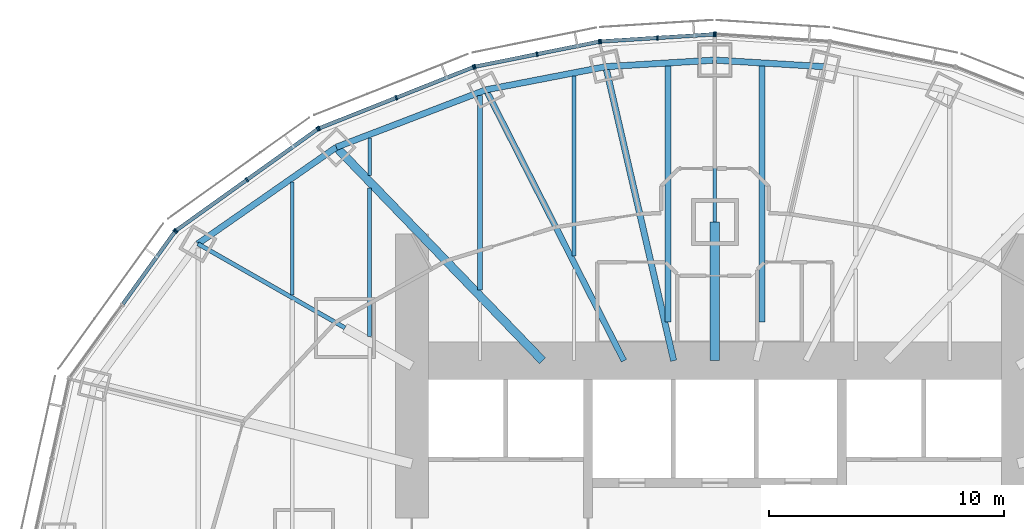
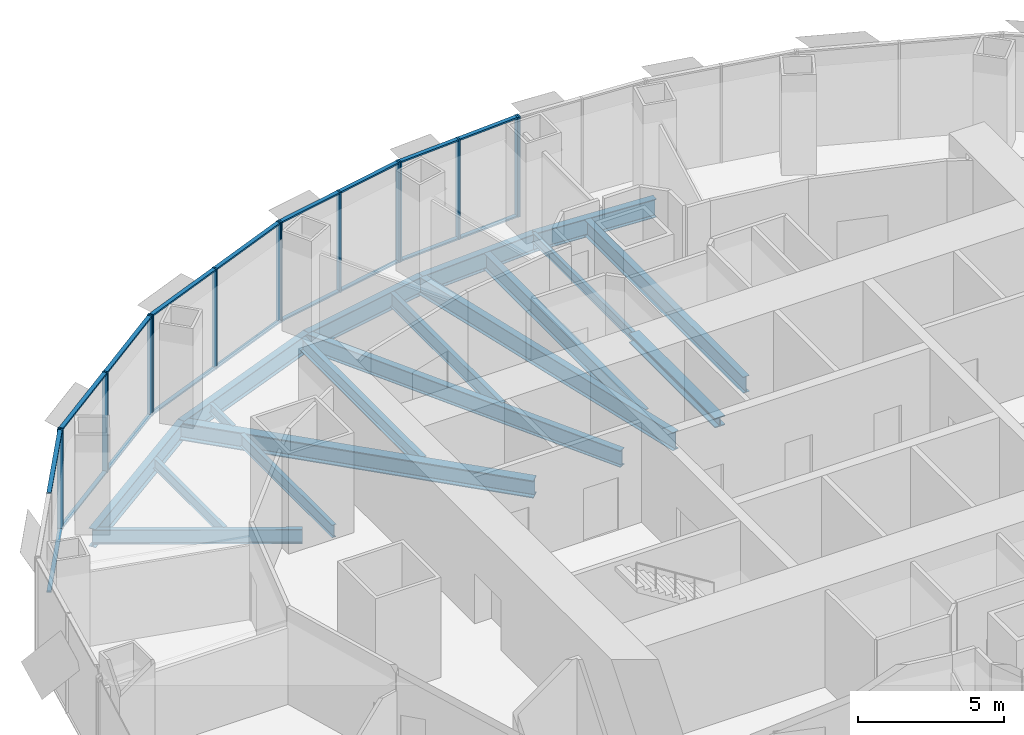
# One storey, part 7 of 17: 32 members, 18 beams, 6 elements without a shape of their own.
"""IFC4 building model written with IfcOpenShell, lengths in metres."""

from ifc_helpers import new_model, si_unit, direction, frame, origin, origin_2d, place, context, subcontext, project, spatial, rectangle, i_section, extrude, material, material_profile, profile_set, type_object, element, aggregate, save


model = new_model("IFC4")

# Units and contexts
model_context = context("Model", 3, precision=1e-05, world=origin(), true_north=direction((0.0, 1.0)))
body_context = subcontext(model_context, "Body", "Model", "MODEL_VIEW")
ifc_project = project(units=[si_unit("LENGTHUNIT", "METRE"), si_unit("AREAUNIT", "SQUARE_METRE"), si_unit("VOLUMEUNIT", "CUBIC_METRE"), si_unit("PLANEANGLEUNIT", "RADIAN"), si_unit("MASSUNIT", "GRAM", prefix="KILO")], contexts=[model_context])

# Site, building, storey
site_placement = place(None, origin())
site = spatial("IfcSite", under=ifc_project, at=site_placement, CompositionType="ELEMENT")
building_placement = place(site_placement, origin())
building = spatial("IfcBuilding", under=site, at=building_placement, Name="Lantaw Convention Tower", CompositionType="ELEMENT")
storey_placement = place(building_placement, frame((0.0, 0.0, 155.199951171875)))
storey = spatial("IfcBuildingStorey", under=building, at=storey_placement, Name="L36", CompositionType="ELEMENT", Elevation=155.199951171875)

# Beams
ifc_material_1 = material(Name="Steel ASTM A992", Category="steel")
ifc_material_profile_1 = material_profile(ifc_material_1, i_section(OverallWidth=0.2666015625, OverallDepth=0.76953125, WebThickness=0.015625, FlangeThickness=0.025390625, FilletRadius=0.0126953125, at=origin_2d()), Name="W30X132")
ifc_profile_set_1 = profile_set([ifc_material_profile_1], Name="Steel ASTM A992")
beam_type_1 = type_object("IfcBeamType", Name="Beam E W30X132", PredefinedType="SPANDREL", material=ifc_profile_set_1)
for number, where, z_axis, x_axis, name in (
    (1, (4.64501953125, 20.1201171875, -0.53466796875), (-0.998190892054, 0.06012439621, 0.0), (-0.06012439621, -0.998190892054, 0.0), "Edge beam 6"),
    (2, (0.0, 20.39990234375, -0.53466796875), (-0.998190892054, -0.06012439621, 0.0), (0.06012439621, -0.998190892054, 0.0), "Edge beam 7"),
):
    element("IfcBeam", number, at=place(storey_placement, frame(where, z_axis=z_axis, x_axis=x_axis)), inside=storey, type_object=beam_type_1, Name=name, PredefinedType="SPANDREL", context=body_context, shape_type="SweptSolid", body=[
        extrude(i_section(OverallWidth=0.2666015625, OverallDepth=0.76953125, WebThickness=0.015625, FlangeThickness=0.025390625, FilletRadius=0.0126953125, at=origin_2d()), origin(), (0.0, 0.0, 1.0), 4.6533203125),
    ])
beam_1_placement = place(storey_placement, frame((-4.64501953125, 20.1201171875, -0.53466796875), z_axis=(-0.981796805654, -0.189934284446, 0.0), x_axis=(0.189934284446, -0.981796805654, 0.0)))
element("IfcBeam", 3, at=beam_1_placement, inside=storey, type_object=beam_type_1, Name="Edge beam 8", PredefinedType="SPANDREL", context=body_context, shape_type="SweptSolid", body=[
    extrude(i_section(OverallWidth=0.2666015625, OverallDepth=0.76953125, WebThickness=0.015625, FlangeThickness=0.025390625, FilletRadius=0.0126953125, at=origin_2d()), origin(), (0.0, 0.0, 1.0), 5.1982421875),
])
beam_2_placement = place(storey_placement, frame((-9.74853515625, 19.1328125, -0.53466796875), z_axis=(-0.933691081977, -0.358079549033, 0.0), x_axis=(0.358079549033, -0.933691081977, 0.0)))
element("IfcBeam", 4, at=beam_2_placement, inside=storey, type_object=beam_type_1, Name="Edge beam 9", PredefinedType="SPANDREL", context=body_context, shape_type="SweptSolid", body=[
    extrude(i_section(OverallWidth=0.2666015625, OverallDepth=0.76953125, WebThickness=0.015625, FlangeThickness=0.025390625, FilletRadius=0.0126953125, at=origin_2d()), origin(), (0.0, 0.0, 1.0), 6.821533203125),
])
beam_3_placement = place(storey_placement, frame((-16.11767578125, 16.690185546875, -0.53466796875), z_axis=(-0.820310765287, -0.57191804339, 0.0), x_axis=(0.57191804339, -0.820310765287, 0.0)))
element("IfcBeam", 5, at=beam_3_placement, inside=storey, type_object=beam_type_1, Name="Edge beam 10", PredefinedType="SPANDREL", context=body_context, shape_type="SweptSolid", body=[
    extrude(i_section(OverallWidth=0.2666015625, OverallDepth=0.76953125, WebThickness=0.015625, FlangeThickness=0.025390625, FilletRadius=0.0126953125, at=origin_2d()), origin(), (0.0, 0.0, 1.0), 7.187744140625),
])
ifc_material_profile_2 = material_profile(ifc_material_1, i_section(OverallWidth=0.140380859375, OverallDepth=0.40380859375, WebThickness=0.007080078125, FlangeThickness=0.01123046875, FilletRadius=0.01025390625, at=origin_2d()), Name="W16X31")
ifc_profile_set_2 = profile_set([ifc_material_profile_2], Name="Steel ASTM A992")
beam_type_2 = type_object("IfcBeamType", Name="Beam G W16X31", PredefinedType="BEAM", material=ifc_profile_set_2)
beam_4_placement = place(storey_placement, frame((0.0, 13.5, -0.351806640625), z_axis=(0.0, 1.0, 0.0), x_axis=(-1.0, 0.0, 0.0)))
element("IfcBeam", 6, at=beam_4_placement, inside=storey, type_object=beam_type_2, Name="Floor girder on ray 7", PredefinedType="BEAM", context=body_context, shape_type="SweptSolid", body=[
    extrude(i_section(OverallWidth=0.140380859375, OverallDepth=0.40380859375, WebThickness=0.007080078125, FlangeThickness=0.01123046875, FilletRadius=0.01025390625, at=origin_2d()), origin(), (0.0, 0.0, 1.0), 6.89990234375),
])
ifc_material_profile_3 = material_profile(ifc_material_1, i_section(OverallWidth=0.177978515625, OverallDepth=0.599365234375, WebThickness=0.010009765625, FlangeThickness=0.012939453125, FilletRadius=0.012939453125, at=origin_2d()), Name="W24X55")
ifc_profile_set_3 = profile_set([ifc_material_profile_3], Name="Steel ASTM A992")
beam_type_3 = type_object("IfcBeamType", Name="Beam G W24X55", PredefinedType="BEAM", material=ifc_profile_set_3)
beam_5_placement = place(storey_placement, frame((-15.75, 9.0, -0.44970703125), z_axis=(-0.868245224608, 0.496135293993, 0.0), x_axis=(-0.496135293993, -0.868245224608, 0.0)))
element("IfcBeam", 7, at=beam_5_placement, inside=storey, type_object=beam_type_3, Name="Floor girder on ray 11", PredefinedType="BEAM", context=body_context, shape_type="SweptSolid", body=[
    extrude(i_section(OverallWidth=0.177978515625, OverallDepth=0.599365234375, WebThickness=0.010009765625, FlangeThickness=0.012939453125, FilletRadius=0.012939453125, at=origin_2d()), origin(), (0.0, 0.0, 1.0), 7.21435546875),
])
ifc_material_profile_4 = material_profile(ifc_material_1, i_section(OverallWidth=0.25390625, OverallDepth=0.700927734375, WebThickness=0.015380859375, FlangeThickness=0.02783203125, FilletRadius=0.01513671875, at=origin_2d()), Name="W27X129")
ifc_profile_set_4 = profile_set([ifc_material_profile_4], Name="Steel ASTM A992")
beam_type_4 = type_object("IfcBeamType", Name="Beam G W27X129", PredefinedType="BEAM", material=ifc_profile_set_4)
beam_6_placement = place(storey_placement, frame((-3.872314453125, 7.60009765625, -0.50048828125), z_axis=(-0.453991051051, 0.891006243281, 0.0), x_axis=(-0.891006243281, -0.453991051051, 0.0)))
element("IfcBeam", 8, at=beam_6_placement, inside=storey, type_object=beam_type_4, Name="Floor girder on ray 9", PredefinedType="BEAM", context=body_context, shape_type="SweptSolid", body=[
    extrude(i_section(OverallWidth=0.25390625, OverallDepth=0.700927734375, WebThickness=0.015380859375, FlangeThickness=0.02783203125, FilletRadius=0.01513671875, at=origin_2d()), origin(), (0.0, 0.0, 1.0), 12.943359375),
])
ifc_material_profile_5 = material_profile(ifc_material_1, i_section(OverallWidth=0.360595703125, OverallDepth=0.72900390625, WebThickness=0.023193359375, FlangeThickness=0.041015625, FilletRadius=0.0126953125, at=origin_2d()), Name="W27X235")
ifc_profile_set_5 = profile_set([ifc_material_profile_5], Name="Steel ASTM A992")
beam_type_5 = type_object("IfcBeamType", Name="Beam G W27X235", PredefinedType="BEAM", material=ifc_profile_set_5)
beam_7_placement = place(storey_placement, frame((-7.33935546875, 7.60009765625, -0.514404296875), z_axis=(-0.694663467407, 0.719334878239, 0.0), x_axis=(-0.719334878239, -0.694663467407, 0.0)))
element("IfcBeam", 9, at=beam_7_placement, inside=storey, type_object=beam_type_5, Name="Floor girder on ray 10", PredefinedType="BEAM", context=body_context, shape_type="SweptSolid", body=[
    extrude(i_section(OverallWidth=0.360595703125, OverallDepth=0.72900390625, WebThickness=0.023193359375, FlangeThickness=0.041015625, FilletRadius=0.0126953125, at=origin_2d()), origin(), (0.0, 0.0, 1.0), 12.63671875),
])
ifc_material_profile_6 = material_profile(ifc_material_1, i_section(OverallWidth=0.2666015625, OverallDepth=0.7568359375, WebThickness=0.013916015625, FlangeThickness=0.019287109375, FilletRadius=0.0126953125, at=origin_2d()), Name="W30X108")
ifc_profile_set_6 = profile_set([ifc_material_profile_6], Name="Steel ASTM A992")
beam_type_6 = type_object("IfcBeamType", Name="Beam G W30X108", PredefinedType="BEAM", material=ifc_profile_set_6)
beam_8_placement = place(storey_placement, frame((-1.754638671875, 7.60009765625, -0.5283203125), z_axis=(-0.224944153104, 0.974371658036, 0.0), x_axis=(-0.974371658036, -0.224944153104, 0.0)))
element("IfcBeam", 10, at=beam_8_placement, inside=storey, type_object=beam_type_6, Name="Floor girder on ray 8", PredefinedType="BEAM", context=body_context, shape_type="SweptSolid", body=[
    extrude(i_section(OverallWidth=0.2666015625, OverallDepth=0.7568359375, WebThickness=0.013916015625, FlangeThickness=0.019287109375, FilletRadius=0.0126953125, at=origin_2d()), origin(), (0.0, 0.0, 1.0), 12.849365234375),
])
ifc_material_profile_7 = material_profile(ifc_material_1, i_section(OverallWidth=0.40380859375, OverallDepth=0.406494140625, WebThickness=0.027099609375, FlangeThickness=0.043701171875, FilletRadius=0.01513671875, at=origin_2d()), Name="W14X233")
ifc_profile_set_7 = profile_set([ifc_material_profile_7], Name="Steel ASTM A992")
beam_type_7 = type_object("IfcBeamType", Name="Beam GM W14X233", PredefinedType="BEAM", material=ifc_profile_set_7)
beam_9_placement = place(storey_placement, frame((0.0, 7.60009765625, -0.353271484375), z_axis=(0.0, 1.0, 0.0), x_axis=(-1.0, 0.0, 0.0)))
element("IfcBeam", 11, at=beam_9_placement, inside=storey, type_object=beam_type_7, Name="Core link beam on ray 7", PredefinedType="BEAM", context=body_context, shape_type="SweptSolid", body=[
    extrude(i_section(OverallWidth=0.40380859375, OverallDepth=0.406494140625, WebThickness=0.027099609375, FlangeThickness=0.043701171875, FilletRadius=0.01513671875, at=origin_2d()), origin(), (0.0, 0.0, 1.0), 5.89990234375),
])
ifc_material_profile_8 = material_profile(ifc_material_1, i_section(OverallWidth=0.140380859375, OverallDepth=0.40380859375, WebThickness=0.007080078125, FlangeThickness=0.01123046875, FilletRadius=0.01025390625, at=origin_2d()), Name="W16X31")
ifc_profile_set_8 = profile_set([ifc_material_profile_8], Name="Steel ASTM A992")
beam_type_8 = type_object("IfcBeamType", Name="Beam J W16X31", PredefinedType="JOIST", material=ifc_profile_set_8)
beam_10_placement = place(storey_placement, frame((-14.699951171875, 15.48193359375, -0.351806640625), z_axis=(0.0, 1.0, 0.0), x_axis=(-1.0, 0.0, 0.0)))
element("IfcBeam", 12, at=beam_10_placement, inside=storey, type_object=beam_type_8, Name="Floor joist", PredefinedType="JOIST", context=body_context, shape_type="SweptSolid", body=[
    extrude(i_section(OverallWidth=0.140380859375, OverallDepth=0.40380859375, WebThickness=0.007080078125, FlangeThickness=0.01123046875, FilletRadius=0.01025390625, at=origin_2d()), origin(), (0.0, 0.0, 1.0), 1.609130859375),
])
ifc_material_profile_9 = material_profile(ifc_material_1, i_section(OverallWidth=0.15234375, OverallDepth=0.449462890625, WebThickness=0.007568359375, FlangeThickness=0.0107421875, FilletRadius=0.01025390625, at=origin_2d()), Name="W18X35")
ifc_profile_set_9 = profile_set([ifc_material_profile_9], Name="Steel ASTM A992")
beam_type_9 = type_object("IfcBeamType", Name="Beam J W18X35", PredefinedType="JOIST", material=ifc_profile_set_9)
beam_11_placement = place(storey_placement, frame((-18.0, 10.38818359375, -0.374755859375), z_axis=(0.0, 1.0, 0.0), x_axis=(-1.0, 0.0, 0.0)))
element("IfcBeam", 13, at=beam_11_placement, inside=storey, type_object=beam_type_9, Name="Floor joist", PredefinedType="JOIST", context=body_context, shape_type="SweptSolid", body=[
    extrude(i_section(OverallWidth=0.15234375, OverallDepth=0.449462890625, WebThickness=0.007568359375, FlangeThickness=0.0107421875, FilletRadius=0.01025390625, at=origin_2d()), origin(), (0.0, 0.0, 1.0), 4.8271484375),
])
ifc_material_profile_10 = material_profile(ifc_material_1, i_section(OverallWidth=0.1650390625, OverallDepth=0.52587890625, WebThickness=0.0087890625, FlangeThickness=0.011474609375, FilletRadius=0.0126953125, at=origin_2d()), Name="W21X44")
ifc_profile_set_10 = profile_set([ifc_material_profile_10], Name="Steel ASTM A992")
beam_type_10 = type_object("IfcBeamType", Name="Beam J W21X44", PredefinedType="JOIST", material=ifc_profile_set_10)
beam_12_placement = place(storey_placement, frame((-14.699951171875, 8.632568359375, -0.412841796875), z_axis=(0.0, 1.0, 0.0), x_axis=(-1.0, 0.0, 0.0)))
element("IfcBeam", 14, at=beam_12_placement, inside=storey, type_object=beam_type_10, Name="Floor joist", PredefinedType="JOIST", context=body_context, shape_type="SweptSolid", body=[
    extrude(i_section(OverallWidth=0.1650390625, OverallDepth=0.52587890625, WebThickness=0.0087890625, FlangeThickness=0.011474609375, FilletRadius=0.0126953125, at=origin_2d()), origin(), (0.0, 0.0, 1.0), 6.330078125),
])
ifc_material_profile_11 = material_profile(ifc_material_1, i_section(OverallWidth=0.2099609375, OverallDepth=0.535888671875, WebThickness=0.010986328125, FlangeThickness=0.017333984375, FilletRadius=0.012939453125, at=origin_2d()), Name="W21X68")
ifc_profile_set_11 = profile_set([ifc_material_profile_11], Name="Steel ASTM A992")
beam_type_11 = type_object("IfcBeamType", Name="Beam J W21X68", PredefinedType="JOIST", material=ifc_profile_set_11)
beam_13_placement = place(storey_placement, frame((-10.0, 10.614990234375, -0.41796875), z_axis=(0.0, 1.0, 0.0), x_axis=(-1.0, 0.0, 0.0)))
element("IfcBeam", 15, at=beam_13_placement, inside=storey, type_object=beam_type_11, Name="Floor joist", PredefinedType="JOIST", context=body_context, shape_type="SweptSolid", body=[
    extrude(i_section(OverallWidth=0.2099609375, OverallDepth=0.535888671875, WebThickness=0.010986328125, FlangeThickness=0.017333984375, FilletRadius=0.012939453125, at=origin_2d()), origin(), (0.0, 0.0, 1.0), 8.278564453125),
])
ifc_material_profile_12 = material_profile(ifc_material_1, i_section(OverallWidth=0.177978515625, OverallDepth=0.599365234375, WebThickness=0.010009765625, FlangeThickness=0.012939453125, FilletRadius=0.012939453125, at=origin_2d()), Name="W24X55")
ifc_profile_set_12 = profile_set([ifc_material_profile_12], Name="Steel ASTM A992")
beam_type_12 = type_object("IfcBeamType", Name="Beam J W24X55", PredefinedType="JOIST", material=ifc_profile_set_12)
beam_14_placement = place(storey_placement, frame((-6.0, 12.055419921875, -0.44970703125), z_axis=(0.0, 1.0, 0.0), x_axis=(-1.0, 0.0, 0.0)))
element("IfcBeam", 16, at=beam_14_placement, inside=storey, type_object=beam_type_12, Name="Floor joist", PredefinedType="JOIST", context=body_context, shape_type="SweptSolid", body=[
    extrude(i_section(OverallWidth=0.177978515625, OverallDepth=0.599365234375, WebThickness=0.010009765625, FlangeThickness=0.012939453125, FilletRadius=0.012939453125, at=origin_2d()), origin(), (0.0, 0.0, 1.0), 7.666748046875),
])
ifc_material_profile_13 = material_profile(ifc_material_1, i_section(OverallWidth=0.25390625, OverallDepth=0.683349609375, WebThickness=0.012451171875, FlangeThickness=0.01904296875, FilletRadius=0.01513671875, at=origin_2d()), Name="W27X94")
ifc_profile_set_13 = profile_set([ifc_material_profile_13], Name="Steel ASTM A992")
beam_type_13 = type_object("IfcBeamType", Name="Beam J W27X94", PredefinedType="JOIST", material=ifc_profile_set_13)
for number, where, z_axis, x_axis, name in (
    (17, (-2.0, 9.255859375, -0.49169921875), (0.0, 1.0, 0.0), (-1.0, 0.0, 0.0), "Floor joist"),
    (18, (2.0, 9.255859375, -0.49169921875), (0.0, 1.0, 0.0), (-1.0, 0.0, 0.0), "Floor joist"),
):
    element("IfcBeam", number, at=place(storey_placement, frame(where, z_axis=z_axis, x_axis=x_axis)), inside=storey, type_object=beam_type_13, Name=name, PredefinedType="JOIST", context=body_context, shape_type="SweptSolid", body=[
        extrude(i_section(OverallWidth=0.25390625, OverallDepth=0.683349609375, WebThickness=0.012451171875, FlangeThickness=0.01904296875, FilletRadius=0.01513671875, at=origin_2d()), origin(), (0.0, 0.0, 1.0), 10.889892578125),
    ])

# Curtain wall, member
ifc_material_2 = material(Name="Aluminium framed curtain wall", Category="aluminium")
curtain_wall_type = type_object("IfcCurtainWallType", Name="Office curtain wall low rise, pale aluminium", PredefinedType="USERDEFINED", material=ifc_material_2)
curtain_wall_1_placement = place(storey_placement, origin())
curtain_wall_1 = element("IfcCurtainWall", 19, at=curtain_wall_1_placement, inside=storey, type_object=curtain_wall_type, Name="Office curtain wall low rise, pale aluminium L36", ObjectType="UNITISED CURTAIN WALL", PredefinedType="USERDEFINED")
ifc_material_3 = material(Name="Aluminium 6063-T6", Category="aluminium")
ifc_material_profile_14 = material_profile(ifc_material_3, rectangle(XDim=0.199951171875, YDim=0.06494140625, at=origin_2d()), Name="CW-O1 mullion 65x200")
ifc_profile_set_14 = profile_set([ifc_material_profile_14], Name="Aluminium 6063-T6")
member_type_1 = type_object("IfcMemberType", Name="CW-O1 mullion 65x200", PredefinedType="MULLION", material=ifc_profile_set_14)
member_1_placement = place(storey_placement, frame((0.032470703125, 21.498046875, -0.14990234375), z_axis=(0.0, 0.0, 1.0), x_axis=(-0.062865059466, -0.998022035978, 0.0)))
member_1 = element("IfcMember", 20, at=member_1_placement, type_object=member_type_1, Name="CW-O1 mullion 3", PredefinedType="MULLION", context=body_context, shape_type="SweptSolid", body=[
    extrude(rectangle(XDim=0.199951171875, YDim=0.06494140625, at=origin_2d()), origin(), (0.0, 0.0, 1.0), 4.199951171875),
])
aggregate(curtain_wall_1, [member_1])

# Curtain wall, members
curtain_wall_2_placement = place(storey_placement, origin())
curtain_wall_2 = element("IfcCurtainWall", 21, at=curtain_wall_2_placement, inside=storey, type_object=curtain_wall_type, Name="Office curtain wall low rise, pale aluminium L36", ObjectType="UNITISED CURTAIN WALL", PredefinedType="USERDEFINED")
member_2_placement = place(storey_placement, frame((-0.032470703125, 21.498046875, -0.14990234375), z_axis=(0.0, 0.0, 1.0), x_axis=(0.062865059466, -0.998022035978, 0.0)))
member_2 = element("IfcMember", 22, at=member_2_placement, type_object=member_type_1, Name="CW-O1 mullion 1", PredefinedType="MULLION", context=body_context, shape_type="SweptSolid", body=[
    extrude(rectangle(XDim=0.199951171875, YDim=0.06494140625, at=origin_2d()), origin(), (0.0, 0.0, 1.0), 4.199951171875),
])
member_3_placement = place(storey_placement, frame((-2.4462890625, 21.345947265625, -0.14990234375), z_axis=(0.0, 0.0, 1.0), x_axis=(0.062865059466, -0.998022035978, 0.0)))
member_3 = element("IfcMember", 23, at=member_3_placement, type_object=member_type_1, Name="CW-O1 mullion 2", PredefinedType="MULLION", context=body_context, shape_type="SweptSolid", body=[
    extrude(rectangle(XDim=0.199951171875, YDim=0.06494140625, at=origin_2d()), origin(), (0.0, 0.0, 1.0), 4.199951171875),
])
member_4_placement = place(storey_placement, frame((-4.860107421875, 21.19384765625, -0.14990234375), z_axis=(0.0, 0.0, 1.0), x_axis=(0.062865059466, -0.998022035978, 0.0)))
member_4 = element("IfcMember", 24, at=member_4_placement, type_object=member_type_1, Name="CW-O1 mullion 3", PredefinedType="MULLION", context=body_context, shape_type="SweptSolid", body=[
    extrude(rectangle(XDim=0.199951171875, YDim=0.06494140625, at=origin_2d()), origin(), (0.0, 0.0, 1.0), 4.199951171875),
])

curtain_wall_3_placement = place(storey_placement, origin())
curtain_wall_3 = element("IfcCurtainWall", 25, at=curtain_wall_3_placement, inside=storey, type_object=curtain_wall_type, Name="Office curtain wall low rise, pale aluminium L36", ObjectType="UNITISED CURTAIN WALL", PredefinedType="USERDEFINED")
member_5_placement = place(storey_placement, frame((-4.92431640625, 21.185302734375, -0.14990234375), z_axis=(0.0, 0.0, 1.0), x_axis=(0.197506809659, -0.980301514912, 0.0)))
member_5 = element("IfcMember", 26, at=member_5_placement, type_object=member_type_1, Name="CW-O1 mullion 1", PredefinedType="MULLION", context=body_context, shape_type="SweptSolid", body=[
    extrude(rectangle(XDim=0.199951171875, YDim=0.06494140625, at=origin_2d()), origin(), (0.0, 0.0, 1.0), 4.199951171875),
])
member_6_placement = place(storey_placement, frame((-7.5703125, 20.65234375, -0.14990234375), z_axis=(0.0, 0.0, 1.0), x_axis=(0.197506809659, -0.980301514912, 0.0)))
member_6 = element("IfcMember", 27, at=member_6_placement, type_object=member_type_1, Name="CW-O1 mullion 2", PredefinedType="MULLION", context=body_context, shape_type="SweptSolid", body=[
    extrude(rectangle(XDim=0.199951171875, YDim=0.06494140625, at=origin_2d()), origin(), (0.0, 0.0, 1.0), 4.199951171875),
])
member_7_placement = place(storey_placement, frame((-10.216064453125, 20.119140625, -0.14990234375), z_axis=(0.0, 0.0, 1.0), x_axis=(0.197506809659, -0.980301514912, 0.0)))
member_7 = element("IfcMember", 28, at=member_7_placement, type_object=member_type_1, Name="CW-O1 mullion 3", PredefinedType="MULLION", context=body_context, shape_type="SweptSolid", body=[
    extrude(rectangle(XDim=0.199951171875, YDim=0.06494140625, at=origin_2d()), origin(), (0.0, 0.0, 1.0), 4.199951171875),
])

curtain_wall_4_placement = place(storey_placement, origin())
curtain_wall_4 = element("IfcCurtainWall", 29, at=curtain_wall_4_placement, inside=storey, type_object=curtain_wall_type, Name="Office curtain wall low rise, pale aluminium L36", ObjectType="UNITISED CURTAIN WALL", PredefinedType="USERDEFINED")
member_8_placement = place(storey_placement, frame((-10.2783203125, 20.100830078125, -0.14990234375), z_axis=(0.0, 0.0, 1.0), x_axis=(0.368701907483, -0.929547687544, 0.0)))
member_8 = element("IfcMember", 30, at=member_8_placement, type_object=member_type_1, Name="CW-O1 mullion 1", PredefinedType="MULLION", context=body_context, shape_type="SweptSolid", body=[
    extrude(rectangle(XDim=0.199951171875, YDim=0.06494140625, at=origin_2d()), origin(), (0.0, 0.0, 1.0), 4.199951171875),
])
member_9_placement = place(storey_placement, frame((-13.56494140625, 18.797119140625, -0.14990234375), z_axis=(0.0, 0.0, 1.0), x_axis=(0.368701907483, -0.929547687544, 0.0)))
member_9 = element("IfcMember", 31, at=member_9_placement, type_object=member_type_1, Name="CW-O1 mullion 2", PredefinedType="MULLION", context=body_context, shape_type="SweptSolid", body=[
    extrude(rectangle(XDim=0.199951171875, YDim=0.06494140625, at=origin_2d()), origin(), (0.0, 0.0, 1.0), 4.199951171875),
])
member_10_placement = place(storey_placement, frame((-16.8515625, 17.49365234375, -0.14990234375), z_axis=(0.0, 0.0, 1.0), x_axis=(0.368701907483, -0.929547687544, 0.0)))
member_10 = element("IfcMember", 32, at=member_10_placement, type_object=member_type_1, Name="CW-O1 mullion 3", PredefinedType="MULLION", context=body_context, shape_type="SweptSolid", body=[
    extrude(rectangle(XDim=0.199951171875, YDim=0.06494140625, at=origin_2d()), origin(), (0.0, 0.0, 1.0), 4.199951171875),
])

curtain_wall_5_placement = place(storey_placement, origin())
curtain_wall_5 = element("IfcCurtainWall", 33, at=curtain_wall_5_placement, inside=storey, type_object=curtain_wall_type, Name="Office curtain wall low rise, pale aluminium L36", ObjectType="UNITISED CURTAIN WALL", PredefinedType="USERDEFINED")
member_11_placement = place(storey_placement, frame((-16.908203125, 17.462646484375, -0.14990234375), z_axis=(0.0, 0.0, 1.0), x_axis=(0.581972695693, -0.813208325995, 0.0)))
member_11 = element("IfcMember", 34, at=member_11_placement, type_object=member_type_1, Name="CW-O1 mullion 1", PredefinedType="MULLION", context=body_context, shape_type="SweptSolid", body=[
    extrude(rectangle(XDim=0.199951171875, YDim=0.06494140625, at=origin_2d()), origin(), (0.0, 0.0, 1.0), 4.199951171875),
])
member_12_placement = place(storey_placement, frame((-19.92529296875, 15.303466796875, -0.14990234375), z_axis=(0.0, 0.0, 1.0), x_axis=(0.581972695693, -0.813208325995, 0.0)))
member_12 = element("IfcMember", 35, at=member_12_placement, type_object=member_type_1, Name="CW-O1 mullion 2", PredefinedType="MULLION", context=body_context, shape_type="SweptSolid", body=[
    extrude(rectangle(XDim=0.199951171875, YDim=0.06494140625, at=origin_2d()), origin(), (0.0, 0.0, 1.0), 4.199951171875),
])
member_13_placement = place(storey_placement, frame((-22.942626953125, 13.14404296875, -0.14990234375), z_axis=(0.0, 0.0, 1.0), x_axis=(0.581972695693, -0.813208325995, 0.0)))
member_13 = element("IfcMember", 36, at=member_13_placement, type_object=member_type_1, Name="CW-O1 mullion 3", PredefinedType="MULLION", context=body_context, shape_type="SweptSolid", body=[
    extrude(rectangle(XDim=0.199951171875, YDim=0.06494140625, at=origin_2d()), origin(), (0.0, 0.0, 1.0), 4.199951171875),
])

# Curtain wall, member
curtain_wall_6_placement = place(storey_placement, origin())
curtain_wall_6 = element("IfcCurtainWall", 37, at=curtain_wall_6_placement, inside=storey, type_object=curtain_wall_type, Name="Office curtain wall low rise, pale aluminium L36", ObjectType="UNITISED CURTAIN WALL", PredefinedType="USERDEFINED")
member_14_placement = place(storey_placement, frame((-22.988037109375, 13.098876953125, -0.14990234375), z_axis=(0.0, 0.0, 1.0), x_axis=(0.811384633629, -0.584512597221, 0.0)))
member_14 = element("IfcMember", 38, at=member_14_placement, type_object=member_type_1, Name="CW-O1 mullion 1", PredefinedType="MULLION", context=body_context, shape_type="SweptSolid", body=[
    extrude(rectangle(XDim=0.199951171875, YDim=0.06494140625, at=origin_2d()), origin(), (0.0, 0.0, 1.0), 4.199951171875),
])

# Member
ifc_material_profile_15 = material_profile(ifc_material_3, rectangle(XDim=0.159912109375, YDim=0.06494140625, at=origin_2d()), Name="CW-O1 transom 65x160")
ifc_profile_set_15 = profile_set([ifc_material_profile_15], Name="Aluminium 6063-T6")
member_type_2 = type_object("IfcMemberType", Name="CW-O1 transom 65x160", PredefinedType="USERDEFINED", material=ifc_profile_set_15)
member_15_placement = place(storey_placement, frame((-0.06494140625, 21.495849609375, -0.117431640625), z_axis=(-0.998022188463, -0.062862638625, 0.0), x_axis=(0.062862638625, -0.998022188463, 0.0)))
member_15 = element("IfcMember", 39, at=member_15_placement, type_object=member_type_2, Name="CW-O1 transom 1.1", ObjectType="TRANSOM", PredefinedType="USERDEFINED", context=body_context, shape_type="SweptSolid", body=[
    extrude(rectangle(XDim=0.159912109375, YDim=0.06494140625, at=origin_2d()), origin(), (0.0, 0.0, 1.0), 2.353515625),
])

member_16_placement = place(storey_placement, frame((-0.06494140625, 21.495849609375, 4.017578125), z_axis=(-0.998022188463, -0.062862638625, 0.0), x_axis=(0.062862638625, -0.998022188463, 0.0)))
member_16 = element("IfcMember", 40, at=member_16_placement, type_object=member_type_2, Name="CW-O1 transom 1.2", ObjectType="TRANSOM", PredefinedType="USERDEFINED", context=body_context, shape_type="SweptSolid", body=[
    extrude(rectangle(XDim=0.159912109375, YDim=0.06494140625, at=origin_2d()), origin(), (0.0, 0.0, 1.0), 2.353515625),
])

member_17_placement = place(storey_placement, frame((-2.478759765625, 21.34375, -0.117431640625), z_axis=(-0.998022188463, -0.062862638625, 0.0), x_axis=(0.062862638625, -0.998022188463, 0.0)))
member_17 = element("IfcMember", 41, at=member_17_placement, type_object=member_type_2, Name="CW-O1 transom 2.1", ObjectType="TRANSOM", PredefinedType="USERDEFINED", context=body_context, shape_type="SweptSolid", body=[
    extrude(rectangle(XDim=0.159912109375, YDim=0.06494140625, at=origin_2d()), origin(), (0.0, 0.0, 1.0), 2.353515625),
])

member_18_placement = place(storey_placement, frame((-2.478759765625, 21.34375, 4.017578125), z_axis=(-0.998022188463, -0.062862638625, 0.0), x_axis=(0.062862638625, -0.998022188463, 0.0)))
member_18 = element("IfcMember", 42, at=member_18_placement, type_object=member_type_2, Name="CW-O1 transom 2.2", ObjectType="TRANSOM", PredefinedType="USERDEFINED", context=body_context, shape_type="SweptSolid", body=[
    extrude(rectangle(XDim=0.159912109375, YDim=0.06494140625, at=origin_2d()), origin(), (0.0, 0.0, 1.0), 2.353515625),
])

aggregate(curtain_wall_2, [member_2, member_3, member_4, member_15, member_16, member_17, member_18])

member_19_placement = place(storey_placement, frame((-4.956298828125, 21.178955078125, -0.117431640625), z_axis=(-0.980298027092, -0.197524120247, 0.0), x_axis=(0.197524120247, -0.980298027092, 0.0)))
member_19 = element("IfcMember", 43, at=member_19_placement, type_object=member_type_2, Name="CW-O1 transom 1.1", ObjectType="TRANSOM", PredefinedType="USERDEFINED", context=body_context, shape_type="SweptSolid", body=[
    extrude(rectangle(XDim=0.159912109375, YDim=0.06494140625, at=origin_2d()), origin(), (0.0, 0.0, 1.0), 2.634033203125),
])

member_20_placement = place(storey_placement, frame((-4.956298828125, 21.178955078125, 4.017578125), z_axis=(-0.980298027092, -0.197524120247, 0.0), x_axis=(0.197524120247, -0.980298027092, 0.0)))
member_20 = element("IfcMember", 44, at=member_20_placement, type_object=member_type_2, Name="CW-O1 transom 1.2", ObjectType="TRANSOM", PredefinedType="USERDEFINED", context=body_context, shape_type="SweptSolid", body=[
    extrude(rectangle(XDim=0.159912109375, YDim=0.06494140625, at=origin_2d()), origin(), (0.0, 0.0, 1.0), 2.634033203125),
])

member_21_placement = place(storey_placement, frame((-7.60205078125, 20.64599609375, -0.117431640625), z_axis=(-0.980301643003, -0.197506173891, 0.0), x_axis=(0.197506173891, -0.980301643003, 0.0)))
member_21 = element("IfcMember", 45, at=member_21_placement, type_object=member_type_2, Name="CW-O1 transom 2.1", ObjectType="TRANSOM", PredefinedType="USERDEFINED", context=body_context, shape_type="SweptSolid", body=[
    extrude(rectangle(XDim=0.159912109375, YDim=0.06494140625, at=origin_2d()), origin(), (0.0, 0.0, 1.0), 2.63427734375),
])

member_22_placement = place(storey_placement, frame((-7.60205078125, 20.64599609375, 4.017578125), z_axis=(-0.980301643003, -0.197506173891, 0.0), x_axis=(0.197506173891, -0.980301643003, 0.0)))
member_22 = element("IfcMember", 46, at=member_22_placement, type_object=member_type_2, Name="CW-O1 transom 2.2", ObjectType="TRANSOM", PredefinedType="USERDEFINED", context=body_context, shape_type="SweptSolid", body=[
    extrude(rectangle(XDim=0.159912109375, YDim=0.06494140625, at=origin_2d()), origin(), (0.0, 0.0, 1.0), 2.63427734375),
])

aggregate(curtain_wall_3, [member_5, member_6, member_7, member_19, member_20, member_21, member_22])

member_23_placement = place(storey_placement, frame((-10.308349609375, 20.0888671875, -0.117431640625), z_axis=(-0.929540081544, -0.368721082668, 0.0), x_axis=(0.368721082668, -0.929540081544, 0.0)))
member_23 = element("IfcMember", 47, at=member_23_placement, type_object=member_type_2, Name="CW-O1 transom 1.1", ObjectType="TRANSOM", PredefinedType="USERDEFINED", context=body_context, shape_type="SweptSolid", body=[
    extrude(rectangle(XDim=0.159912109375, YDim=0.06494140625, at=origin_2d()), origin(), (0.0, 0.0, 1.0), 3.470947265625),
])

member_24_placement = place(storey_placement, frame((-10.308349609375, 20.0888671875, 4.017578125), z_axis=(-0.929540081544, -0.368721082668, 0.0), x_axis=(0.368721082668, -0.929540081544, 0.0)))
member_24 = element("IfcMember", 48, at=member_24_placement, type_object=member_type_2, Name="CW-O1 transom 1.2", ObjectType="TRANSOM", PredefinedType="USERDEFINED", context=body_context, shape_type="SweptSolid", body=[
    extrude(rectangle(XDim=0.159912109375, YDim=0.06494140625, at=origin_2d()), origin(), (0.0, 0.0, 1.0), 3.470947265625),
])

member_25_placement = place(storey_placement, frame((-13.594970703125, 18.78515625, -0.117431640625), z_axis=(-0.929564188507, -0.368660303592, 0.0), x_axis=(0.368660303592, -0.929564188507, 0.0)))
member_25 = element("IfcMember", 49, at=member_25_placement, type_object=member_type_2, Name="CW-O1 transom 2.1", ObjectType="TRANSOM", PredefinedType="USERDEFINED", context=body_context, shape_type="SweptSolid", body=[
    extrude(rectangle(XDim=0.159912109375, YDim=0.06494140625, at=origin_2d()), origin(), (0.0, 0.0, 1.0), 3.470703125),
])

member_26_placement = place(storey_placement, frame((-13.594970703125, 18.78515625, 4.017578125), z_axis=(-0.929564188507, -0.368660303592, 0.0), x_axis=(0.368660303592, -0.929564188507, 0.0)))
member_26 = element("IfcMember", 50, at=member_26_placement, type_object=member_type_2, Name="CW-O1 transom 2.2", ObjectType="TRANSOM", PredefinedType="USERDEFINED", context=body_context, shape_type="SweptSolid", body=[
    extrude(rectangle(XDim=0.159912109375, YDim=0.06494140625, at=origin_2d()), origin(), (0.0, 0.0, 1.0), 3.470703125),
])

aggregate(curtain_wall_4, [member_8, member_9, member_10, member_23, member_24, member_25, member_26])

member_27_placement = place(storey_placement, frame((-16.9345703125, 17.44384765625, -0.117431640625), z_axis=(-0.813190089133, -0.581998177777, 0.0), x_axis=(0.581998177777, -0.813190089133, 0.0)))
member_27 = element("IfcMember", 51, at=member_27_placement, type_object=member_type_2, Name="CW-O1 transom 1.1", ObjectType="TRANSOM", PredefinedType="USERDEFINED", context=body_context, shape_type="SweptSolid", body=[
    extrude(rectangle(XDim=0.159912109375, YDim=0.06494140625, at=origin_2d()), origin(), (0.0, 0.0, 1.0), 3.645263671875),
])

member_28_placement = place(storey_placement, frame((-16.9345703125, 17.44384765625, 4.017578125), z_axis=(-0.813190089133, -0.581998177777, 0.0), x_axis=(0.581998177777, -0.813190089133, 0.0)))
member_28 = element("IfcMember", 52, at=member_28_placement, type_object=member_type_2, Name="CW-O1 transom 1.2", ObjectType="TRANSOM", PredefinedType="USERDEFINED", context=body_context, shape_type="SweptSolid", body=[
    extrude(rectangle(XDim=0.159912109375, YDim=0.06494140625, at=origin_2d()), origin(), (0.0, 0.0, 1.0), 3.645263671875),
])

member_29_placement = place(storey_placement, frame((-19.951904296875, 15.284423828125, -0.117431640625), z_axis=(-0.813221785972, -0.581953887194, 0.0), x_axis=(0.581953887194, -0.813221785972, 0.0)))
member_29 = element("IfcMember", 53, at=member_29_placement, type_object=member_type_2, Name="CW-O1 transom 2.1", ObjectType="TRANSOM", PredefinedType="USERDEFINED", context=body_context, shape_type="SweptSolid", body=[
    extrude(rectangle(XDim=0.159912109375, YDim=0.06494140625, at=origin_2d()), origin(), (0.0, 0.0, 1.0), 3.645263671875),
])

member_30_placement = place(storey_placement, frame((-19.951904296875, 15.284423828125, 4.017578125), z_axis=(-0.813221785972, -0.581953887194, 0.0), x_axis=(0.581953887194, -0.813221785972, 0.0)))
member_30 = element("IfcMember", 54, at=member_30_placement, type_object=member_type_2, Name="CW-O1 transom 2.2", ObjectType="TRANSOM", PredefinedType="USERDEFINED", context=body_context, shape_type="SweptSolid", body=[
    extrude(rectangle(XDim=0.159912109375, YDim=0.06494140625, at=origin_2d()), origin(), (0.0, 0.0, 1.0), 3.645263671875),
])

aggregate(curtain_wall_5, [member_11, member_12, member_13, member_27, member_28, member_29, member_30])

member_31_placement = place(storey_placement, frame((-23.007080078125, 13.072509765625, -0.117431640625), z_axis=(-0.584512973979, -0.811384362217, 0.0), x_axis=(0.811384362217, -0.584512973979, 0.0)))
member_31 = element("IfcMember", 55, at=member_31_placement, type_object=member_type_2, Name="CW-O1 transom 1.1", ObjectType="TRANSOM", PredefinedType="USERDEFINED", context=body_context, shape_type="SweptSolid", body=[
    extrude(rectangle(XDim=0.159912109375, YDim=0.06494140625, at=origin_2d()), origin(), (0.0, 0.0, 1.0), 3.767578125),
])

member_32_placement = place(storey_placement, frame((-23.007080078125, 13.072509765625, 4.017578125), z_axis=(-0.584512973979, -0.811384362217, 0.0), x_axis=(0.811384362217, -0.584512973979, 0.0)))
member_32 = element("IfcMember", 56, at=member_32_placement, type_object=member_type_2, Name="CW-O1 transom 1.2", ObjectType="TRANSOM", PredefinedType="USERDEFINED", context=body_context, shape_type="SweptSolid", body=[
    extrude(rectangle(XDim=0.159912109375, YDim=0.06494140625, at=origin_2d()), origin(), (0.0, 0.0, 1.0), 3.767578125),
])

aggregate(curtain_wall_6, [member_14, member_31, member_32])

save(model, "model.ifc")
